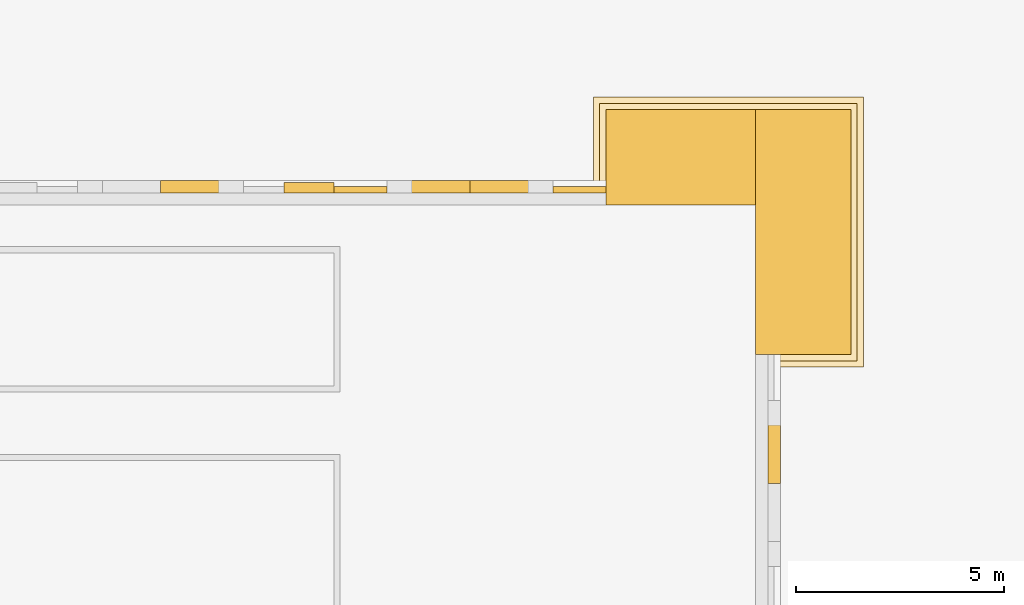
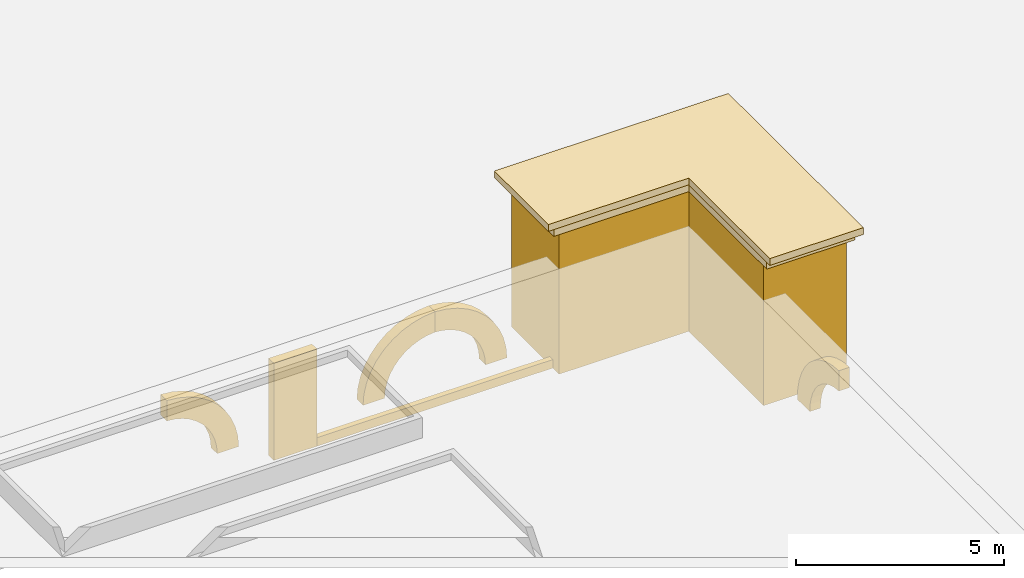
# One storey, part 147 of 161: 10 coverings.
"""IFC4 building model written with IfcOpenShell, lengths in metres."""

from ifc_helpers import new_model, si_unit, direction, frame, origin, place, context, subcontext, project, spatial, polyline, outline, extrude, material, layer, layer_set, type_object, element, save


model = new_model("IFC4")

# Units and contexts
model_context = context("Model", 3, precision=1e-05, world=origin(), true_north=direction((0.0, 1.0)))
body_context = subcontext(model_context, "Body", "Model", "MODEL_VIEW")
ifc_project = project(units=[si_unit("LENGTHUNIT", "METRE"), si_unit("AREAUNIT", "SQUARE_METRE"), si_unit("VOLUMEUNIT", "CUBIC_METRE"), si_unit("PLANEANGLEUNIT", "RADIAN"), si_unit("MASSUNIT", "GRAM", prefix="KILO")], contexts=[model_context])

# Site, building, storey
site_placement = place(None, origin())
site = spatial("IfcSite", under=ifc_project, at=site_placement, CompositionType="ELEMENT")
building_placement = place(site_placement, origin())
building = spatial("IfcBuilding", under=site, at=building_placement, Name="Elbe Cascade School", CompositionType="ELEMENT")
storey_placement = place(building_placement, origin())
storey = spatial("IfcBuildingStorey", under=building, at=storey_placement, Name="L00", CompositionType="ELEMENT", Elevation=0.0)

# Coverings
ifc_material_1 = material(Name="Sandstone - red", Category="masonry")
ifc_layer_1 = layer(ifc_material_1, 0.199951171875)
ifc_layer_set_1 = layer_set([ifc_layer_1], Name="Sandstone - red")
covering_type_1 = type_object("IfcCoveringType", Name="Bastion coping course 200", PredefinedType="CLADDING", material=ifc_layer_set_1)
covering_1_placement = place(storey_placement, frame((0.0, 0.0, 1.0)))
element("IfcCovering", 1, at=covering_1_placement, inside=storey, type_object=covering_type_1, Name="Bastion coping course 1 NE", PredefinedType="CLADDING", context=body_context, shape_type="SweptSolid", body=[
    extrude(outline(polyline([(202.449951171875, 76.449951171875), (196.25, 76.449951171875), (196.25, 74.0), (200.0, 74.0), (200.0, 70.25), (202.449951171875, 70.25), (202.449951171875, 76.449951171875)])), origin(), (0.0, 0.0, 1.0), 0.199951171875),
])
covering_2_placement = place(storey_placement, frame((0.0, 0.0, 1.199951171875)))
element("IfcCovering", 2, at=covering_2_placement, inside=storey, type_object=covering_type_1, Name="Bastion coping course 2 NE", PredefinedType="CLADDING", context=body_context, shape_type="SweptSolid", body=[
    extrude(outline(polyline([(202.60009765625, 76.60009765625), (196.10009765625, 76.60009765625), (196.10009765625, 74.0), (200.0, 74.0), (200.0, 70.10009765625), (202.60009765625, 70.10009765625), (202.60009765625, 76.60009765625)])), origin(), (0.0, 0.0, 1.0), 0.199951171875),
])
ifc_material_2 = material(Name="Sandstone - red", Category="masonry")
ifc_layer_2 = layer(ifc_material_2, 0.14990234375)
ifc_layer_set_2 = layer_set([ifc_layer_2], Name="Sandstone - red")
covering_type_2 = type_object("IfcCoveringType", Name="Plinth base course 150x250", PredefinedType="CLADDING", material=ifc_layer_set_2)
covering_3_placement = place(storey_placement, frame((0.0, 0.0, -3.10009765625)))
element("IfcCovering", 3, at=covering_3_placement, inside=storey, type_object=covering_type_2, Name="Plinth base course north 0.4.4", PredefinedType="CLADDING", context=body_context, shape_type="SweptSolid", body=[
    extrude(outline(polyline([(189.85009765625, 74.300048828125), (196.39990234375, 74.300048828125), (196.39990234375, 74.449951171875), (189.85009765625, 74.449951171875), (189.85009765625, 74.300048828125)])), origin(), (0.0, 0.0, 1.0), 0.25),
])
ifc_material_3 = material(Name="Sandstone - red", Category="masonry")
ifc_layer_3 = layer(ifc_material_3, 2.300048828125)
ifc_layer_set_3 = layer_set([ifc_layer_3], Name="Sandstone - red")
covering_type_3 = type_object("IfcCoveringType", Name="Plinth bastion 3600x2300", PredefinedType="CLADDING", material=ifc_layer_set_3)
covering_4_placement = place(storey_placement, frame((0.0, 0.0, -3.10009765625)))
element("IfcCovering", 4, at=covering_4_placement, inside=storey, type_object=covering_type_3, Name="Plinth bastion NE 1", PredefinedType="CLADDING", context=body_context, shape_type="SweptSolid", body=[
    extrude(outline(polyline([(200.0, 70.39990234375), (202.300048828125, 70.39990234375), (202.300048828125, 76.300048828125), (200.0, 76.300048828125), (200.0, 70.39990234375)])), origin(), (0.0, 0.0, 1.0), 4.10009765625),
])
covering_5_placement = place(storey_placement, frame((0.0, 0.0, -3.10009765625)))
element("IfcCovering", 5, at=covering_5_placement, inside=storey, type_object=covering_type_3, Name="Plinth bastion NE 2", PredefinedType="CLADDING", context=body_context, shape_type="SweptSolid", body=[
    extrude(outline(polyline([(196.39990234375, 74.0), (200.0, 74.0), (200.0, 76.300048828125), (196.39990234375, 76.300048828125), (196.39990234375, 74.0)])), origin(), (0.0, 0.0, 1.0), 4.10009765625),
])
ifc_material_4 = material(Name="Sandstone - red", Category="masonry")
ifc_layer_4 = layer(ifc_material_4, 0.300048828125)
ifc_layer_set_4 = layer_set([ifc_layer_4], Name="Sandstone - red")
covering_type_4 = type_object("IfcCoveringType", Name="Plinth niche arch band 600x300", PredefinedType="CLADDING", material=ifc_layer_set_4)
covering_6_placement = place(storey_placement, frame((200.60009765625, 69.275390625, -2.0341796875), z_axis=(1.0, 0.0, 0.0), x_axis=(0.0, -0.229640615433, 0.973275494268)))
element("IfcCovering", 6, at=covering_6_placement, inside=storey, type_object=covering_type_4, Name="Plinth niche arch band east 0.5.2b", PredefinedType="CLADDING", context=body_context, shape_type="SweptSolid", body=[
    extrude(outline(polyline([(0.0, 0.0), (0.31681637027835047, 0.0), (0.6296088823787412, 0.04886067811575373), (0.9315267427864806, 0.14518832098545423), (1.2145444352234966, 0.28686300931093206), (1.4726067943887962, 0.47054739410121904), (1.6993783319645008, 0.6917160459280074), (1.8891803432917578, 0.9454377254653902), (2.037954729394572, 1.2251445961231031), (2.1416433912969475, 1.5242688213108815), (1.5575830483008861, 1.66207561641209), (1.4825516767193998, 1.4525140307106628), (1.3764245808426212, 1.2568113139460797), (1.2416232623821883, 1.0799146970257483), (1.0812393643827247, 0.9253590720062276), (0.899007955873922, 0.7972800499997257), (0.6996279279093016, 0.6985824547516934), (0.4872108101606949, 0.6318080070394001), (0.26725112189532263, 0.5979178949791348), (0.04458659872137888, 0.5982791165847868), (-0.17533094702333402, 0.6326087149319284), (-0.3131377421245425, 0.04854837193586718), (0.0, 0.0)])), origin(), (0.0, 0.0, -1.0), 0.300048828125),
])
covering_7_placement = place(storey_placement, frame((187.675048828125, 74.60009765625, -2.35009765625), z_axis=(0.0, 1.0, 0.0), x_axis=(-1.0, 0.0, 0.0)))
element("IfcCovering", 7, at=covering_7_placement, inside=storey, type_object=covering_type_4, Name="Plinth niche arch band north 0.4.3a", PredefinedType="CLADDING", context=body_context, shape_type="SweptSolid", body=[
    extrude(outline(polyline([(0.0, 0.0), (0.60009765625, 0.0), (0.6171875, 0.221923828125), (0.66796875, 0.438720703125), (0.75146484375, 0.64501953125), (0.865234375, 0.83642578125), (1.007080078125, 1.0078125), (1.173583984375, 1.15576171875), (1.36083984375, 1.2763671875), (1.56396484375, 1.366943359375), (1.77880859375, 1.42529296875), (2.0, 1.4501953125), (2.0, 2.05029296875), (1.68505859375, 2.01806640625), (1.378662109375, 1.9375), (1.088134765625, 1.81103515625), (0.82080078125, 1.64111328125), (0.582763671875, 1.43212890625), (0.3798828125, 1.189208984375), (0.216796875, 0.91748046875), (0.097412109375, 0.624267578125), (0.024658203125, 0.31591796875), (0.0, 0.0)])), origin(), (0.0, 0.0, -1.0), 0.300048828125),
])
covering_8_placement = place(storey_placement, frame((195.125, 74.60009765625, -2.35009765625), z_axis=(0.0, 1.0, 0.0), x_axis=(-1.0, 0.0, 0.0)))
element("IfcCovering", 8, at=covering_8_placement, inside=storey, type_object=covering_type_4, Name="Plinth niche arch band north 0.4.4a", PredefinedType="CLADDING", context=body_context, shape_type="SweptSolid", body=[
    extrude(outline(polyline([(0.0, 0.0), (0.60009765625, 0.0), (0.6171875, 0.221923828125), (0.66796875, 0.438720703125), (0.751220703125, 0.64501953125), (0.865234375, 0.83642578125), (1.007080078125, 1.0078125), (1.173583984375, 1.15576171875), (1.360595703125, 1.2763671875), (1.56396484375, 1.366943359375), (1.77880859375, 1.42529296875), (2.0, 1.4501953125), (2.0, 2.05029296875), (1.684814453125, 2.01806640625), (1.37841796875, 1.9375), (1.088134765625, 1.81103515625), (0.82080078125, 1.64111328125), (0.582763671875, 1.43212890625), (0.3798828125, 1.189208984375), (0.216796875, 0.91748046875), (0.097412109375, 0.624267578125), (0.0244140625, 0.31591796875), (0.0, 0.0)])), origin(), (0.0, 0.0, -1.0), 0.300048828125),
])
covering_9_placement = place(storey_placement, frame((191.1494140625, 74.60009765625, -2.0341796875), z_axis=(0.0, 1.0, 0.0), x_axis=(0.230370389833, 0.0, 0.973103017922)))
element("IfcCovering", 9, at=covering_9_placement, inside=storey, type_object=covering_type_4, Name="Plinth niche arch band north 0.4.4b", PredefinedType="CLADDING", context=body_context, shape_type="SweptSolid", body=[
    extrude(outline(polyline([(0.0, 0.0), (0.31687252397341076, 0.0), (0.6297015877312577, 0.04862610780633542), (0.9316915973394285, 0.14472732169500946), (1.2148154490930958, 0.2861897411309222), (1.473015476785429, 0.46968055870342257), (1.6999528003548228, 0.6906790971069348), (1.8898887761347143, 0.9440208027650488), (2.038872866748509, 1.2236160319757423), (2.1428420492777027, 1.522899993079024), (1.558885208933074, 1.6611447240869763), (1.4836967125911875, 1.4516394617641843), (1.37742289317322, 1.2560163825158634), (1.2424327187641548, 1.0789833260459185), (1.0819892105939604, 0.9247855869954477), (0.8996618095377079, 0.7968432525266855), (0.7002078263653932, 0.6982951959470896), (0.4876844528052212, 0.6314424801900893), (0.2677556556673356, 0.5979548948134422), (0.04509146597014914, 0.5984830877928479), (-0.17480027489389646, 0.6329775880622152), (-0.3130450059018489, 0.0490207477175865), (0.0, 0.0)])), origin(), (0.0, 0.0, -1.0), 0.300048828125),
])
ifc_material_5 = material(Name="Sandstone - red", Category="masonry")
ifc_layer_5 = layer(ifc_material_5, 0.25)
ifc_layer_set_5 = layer_set([ifc_layer_5], Name="Sandstone - red")
covering_type_5 = type_object("IfcCoveringType", Name="Plinth pilaster 1200x250", PredefinedType="CLADDING", material=ifc_layer_set_5)
covering_10_placement = place(storey_placement, frame((0.0, 0.0, -3.10009765625)))
element("IfcCovering", 10, at=covering_10_placement, inside=storey, type_object=covering_type_5, Name="Plinth pilaster north 0.4.3", PredefinedType="CLADDING", context=body_context, shape_type="SweptSolid", body=[
    extrude(outline(polyline([(188.64990234375, 74.300048828125), (189.85009765625, 74.300048828125), (189.85009765625, 74.550048828125), (188.64990234375, 74.550048828125), (188.64990234375, 74.300048828125)])), origin(), (0.0, 0.0, 1.0), 2.85009765625),
])

save(model, "model.ifc")
